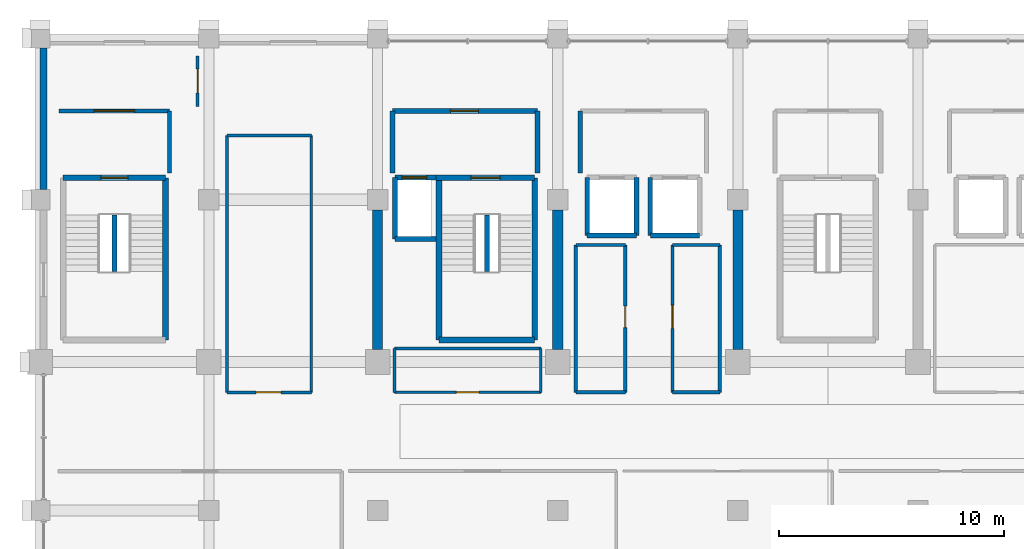
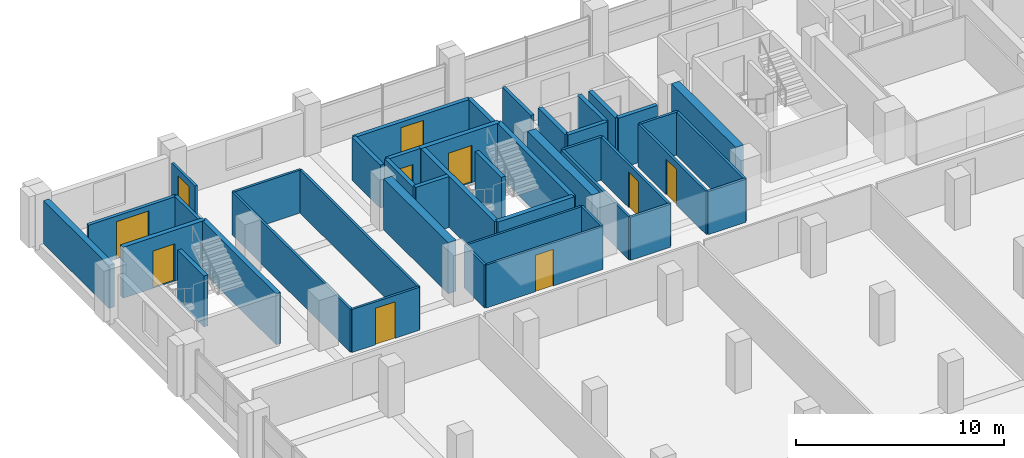
# One storey, part 17 of 21: 43 walls, 10 doors, 10 openings.
"""IFC4 building model written with IfcOpenShell, lengths in metres."""

from ifc_helpers import new_model, si_unit, direction, frame, frame_2d, origin, place, context, subcontext, project, spatial, rectangle, extrude, material, layer, layer_set, type_object, element, fill, save


model = new_model("IFC4")

# Units and contexts
model_context = context("Model", 3, precision=1e-05, world=origin(), true_north=direction((0.0, 1.0)))
body_context = subcontext(model_context, "Body", "Model", "MODEL_VIEW")
ifc_project = project(units=[si_unit("LENGTHUNIT", "METRE"), si_unit("AREAUNIT", "SQUARE_METRE"), si_unit("VOLUMEUNIT", "CUBIC_METRE"), si_unit("PLANEANGLEUNIT", "RADIAN"), si_unit("MASSUNIT", "GRAM", prefix="KILO")], contexts=[model_context])

# Site, building, storey
site_placement = place(None, origin())
site = spatial("IfcSite", under=ifc_project, at=site_placement, CompositionType="ELEMENT")
building_placement = place(site_placement, origin())
building = spatial("IfcBuilding", under=site, at=building_placement, Name="Akrevak Sports Hall", CompositionType="ELEMENT")
storey_placement = place(building_placement, frame((0.0, 0.0, 34.050048828125)))
storey = spatial("IfcBuildingStorey", under=building, at=storey_placement, Name="L07", CompositionType="ELEMENT", Elevation=34.050048828125)

# Wall
ifc_material_1 = material(Name="Limestone Ashlar", Category="stone")
ifc_layer_1 = layer(ifc_material_1, 0.070068359375, Name="Limestone Ashlar")
ifc_material_2 = material(Name="Mineral Wool Thermal Insulation", Category="insulation")
ifc_layer_2 = layer(ifc_material_2, 0.090087890625, Name="Mineral Wool Thermal Insulation")
ifc_material_3 = material(Name="Concrete C40/50", Category="concrete")
ifc_layer_3 = layer(ifc_material_3, 0.159912109375, Name="Concrete C40/50")
ifc_layer_set_1 = layer_set([ifc_layer_1, ifc_layer_2, ifc_layer_3], Name="Limestone Ashlar / Mineral Wool Thermal Insulation / Concrete C40/50")
wall_type_1 = type_object("IfcWallType", Name="ARC-WL-EXT-320", PredefinedType="SOLIDWALL", material=ifc_layer_set_1)
wall_1_placement = place(storey_placement, frame((45.159912109375, 69.14990234375, 0.0), z_axis=(0.0, 0.0, 1.0), x_axis=(0.0, -1.0, 0.0)))
element("IfcWall", 1, at=wall_1_placement, inside=storey, type_object=wall_type_1, Name="Tower Stone Facade Wall L07-W28", PredefinedType="SOLIDWALL", context=body_context, shape_type="SweptSolid", body=[
    extrude(rectangle(XDim=6.2998046875, YDim=0.320068359375, at=frame_2d((3.14990234375, 0.0))), origin(), (0.0, 0.0, 1.0), 2.530029296875),
])

# Wall, opening, door
ifc_material_4 = material(Name="Standard Metal Stud Partition", Category="gypsum")
ifc_layer_4 = layer(ifc_material_4, 0.1201171875, Name="Standard Metal Stud Partition")
ifc_layer_set_2 = layer_set([ifc_layer_4], Name="Standard Metal Stud Partition")
wall_type_2 = type_object("IfcWallType", Name="ARC-WL-PRT-120", PredefinedType="PARTITIONING", material=ifc_layer_set_2)
wall_2_placement = place(storey_placement, frame((60.75, 53.85009765625, 0.0), z_axis=(0.0, 0.0, 1.0), x_axis=(1.0, 0.0, 0.0)))
wall_2 = element("IfcWall", 2, at=wall_2_placement, inside=storey, type_object=wall_type_2, Name="Interior Partition Federation Technical Office L07-CW (S)", PredefinedType="PARTITIONING", context=body_context, shape_type="SweptSolid", body=[
    extrude(rectangle(XDim=6.5, YDim=0.1201171875, at=frame_2d((3.25, 0.0))), origin(), (0.0, 0.0, 1.0), 2.530029296875),
])
opening_1_placement = place(wall_2_placement, frame((2.75, 0.0, 0.0)))
opening_1 = element("IfcOpeningElement", 3, at=opening_1_placement, cuts=wall_2, Name="Opening ID-06", PredefinedType="OPENING", context=body_context, shape_type="SweptSolid", body=[
    extrude(rectangle(XDim=1.0, YDim=2.14990234375, at=frame_2d((0.5, 1.074951171875))), frame((0.0, 0.072021484375, 0.0), z_axis=(0.0, -1.0, 0.0), x_axis=(1.0, 0.0, 0.0)), (0.0, 0.0, 1.0), 0.14404296875),
])
ifc_material_5 = material(Name="Hardwood Oak Acoustic Leaf", Category="wood")
door_type_1 = type_object("IfcDoorType", Name="ARC-DR-OFF-100x215", OperationType="NOTDEFINED", PredefinedType="DOOR", material=ifc_material_5)
door_1_placement = place(opening_1_placement, origin())
door_1 = element("IfcDoor", 4, at=door_1_placement, inside=storey, type_object=door_type_1, Name="Door to Federation Technical Office L07-CW", OperationType="SINGLE_SWING_LEFT", OverallHeight=2.14990234375, OverallWidth=1.0, PredefinedType="DOOR", context=body_context, shape_type="SweptSolid", body=[
    extrude(rectangle(XDim=1.0, YDim=2.14990234375, at=frame_2d((0.5, 1.074951171875))), frame((0.0, 0.02490234375, 0.0), z_axis=(0.0, -1.0, 0.0), x_axis=(1.0, 0.0, 0.0)), (0.0, 0.0, 1.0), 0.050048828125),
])
fill(opening_1, door_1)

# Walls
wall_3_placement = place(storey_placement, frame((60.75, 55.800048828125, 0.0), z_axis=(0.0, 0.0, 1.0), x_axis=(1.0, 0.0, 0.0)))
element("IfcWall", 5, at=wall_3_placement, inside=storey, type_object=wall_type_2, Name="Interior Partition Federation Technical Office L07-CW (N)", PredefinedType="PARTITIONING", context=body_context, shape_type="SweptSolid", body=[
    extrude(rectangle(XDim=6.5, YDim=0.1201171875, at=frame_2d((3.25, 0.0))), origin(), (0.0, 0.0, 1.0), 2.530029296875),
])
for number, where, z_axis, x_axis, name in (
    (6, (60.75, 53.85009765625, 0.0), (0.0, 0.0, 1.0), (0.0, 1.0, 0.0), "Interior Partition Federation Technical Office L07-CW (W)"),
    (7, (67.25, 53.85009765625, 0.0), (0.0, 0.0, 1.0), (0.0, 1.0, 0.0), "Interior Partition Federation Technical Office L07-CW (E)"),
):
    element("IfcWall", number, at=place(storey_placement, frame(where, z_axis=z_axis, x_axis=x_axis)), inside=storey, type_object=wall_type_2, Name=name, PredefinedType="PARTITIONING", context=body_context, shape_type="SweptSolid", body=[
        extrude(rectangle(XDim=1.949951171875, YDim=0.1201171875, at=frame_2d((0.97509765625, 0.0))), origin(), (0.0, 0.0, 1.0), 2.530029296875),
    ])

# Wall, opening, door
ifc_material_6 = material(Name="Acoustic Metal Stud Partition", Category="gypsum")
ifc_layer_5 = layer(ifc_material_6, 0.1298828125, Name="Acoustic Metal Stud Partition")
ifc_layer_set_3 = layer_set([ifc_layer_5], Name="Acoustic Metal Stud Partition")
wall_type_3 = type_object("IfcWallType", Name="ARC-WL-PRT-130", PredefinedType="PARTITIONING", material=ifc_layer_set_3)
wall_4_placement = place(storey_placement, frame((53.300048828125, 53.85009765625, 0.0), z_axis=(0.0, 0.0, 1.0), x_axis=(1.0, 0.0, 0.0)))
wall_4 = element("IfcWall", 8, at=wall_4_placement, inside=storey, type_object=wall_type_3, Name="Interior Partition Federation Research Office L07-W1 (S)", PredefinedType="PARTITIONING", context=body_context, shape_type="SweptSolid", body=[
    extrude(rectangle(XDim=3.75, YDim=0.1298828125, at=frame_2d((1.875, 0.0))), origin(), (0.0, 0.0, 1.0), 2.530029296875),
])
opening_2_placement = place(wall_4_placement, frame((1.300048828125, 0.0, 0.0)))
opening_2 = element("IfcOpeningElement", 9, at=opening_2_placement, cuts=wall_4, Name="Opening ID-04", PredefinedType="OPENING", context=body_context, shape_type="SweptSolid", body=[
    extrude(rectangle(XDim=1.10009765625, YDim=2.14990234375, at=frame_2d((0.550048828125, 1.074951171875))), frame((0.0, 0.076904296875, 0.0), z_axis=(0.0, -1.0, 0.0), x_axis=(1.0, 0.0, 0.0)), (0.0, 0.0, 1.0), 0.15380859375),
])
door_type_2 = type_object("IfcDoorType", Name="ARC-DR-OFF-110x215", OperationType="NOTDEFINED", PredefinedType="DOOR", material=ifc_material_5)
door_2_placement = place(opening_2_placement, frame((1.10009765625, 0.0, 0.0), z_axis=(0.0, 0.0, 1.0), x_axis=(-1.0, 0.0, 0.0)))
door_2 = element("IfcDoor", 10, at=door_2_placement, inside=storey, type_object=door_type_2, Name="Door to Federation Research Office L07-W1", OperationType="SINGLE_SWING_RIGHT", OverallHeight=2.14990234375, OverallWidth=1.10009765625, PredefinedType="DOOR", context=body_context, shape_type="SweptSolid", body=[
    extrude(rectangle(XDim=1.10009765625, YDim=2.14990234375, at=frame_2d((0.550048828125, 1.074951171875))), frame((0.0, 0.02490234375, 0.0), z_axis=(0.0, -1.0, 0.0), x_axis=(1.0, 0.0, 0.0)), (0.0, 0.0, 1.0), 0.050048828125),
])
fill(opening_2, door_2)

# Walls
wall_5_placement = place(storey_placement, frame((53.300048828125, 65.25, 0.0), z_axis=(0.0, 0.0, 1.0), x_axis=(1.0, 0.0, 0.0)))
element("IfcWall", 11, at=wall_5_placement, inside=storey, type_object=wall_type_3, Name="Interior Partition Federation Research Office L07-W1 (N)", PredefinedType="PARTITIONING", context=body_context, shape_type="SweptSolid", body=[
    extrude(rectangle(XDim=3.75, YDim=0.1298828125, at=frame_2d((1.875, 0.0))), origin(), (0.0, 0.0, 1.0), 2.530029296875),
])
for number, where, z_axis, x_axis, name in (
    (12, (53.300048828125, 53.85009765625, 0.0), (0.0, 0.0, 1.0), (0.0, 1.0, 0.0), "Interior Partition Federation Research Office L07-W1 (W)"),
    (13, (57.050048828125, 53.85009765625, 0.0), (0.0, 0.0, 1.0), (0.0, 1.0, 0.0), "Interior Partition Federation Research Office L07-W1 (E)"),
):
    element("IfcWall", number, at=place(storey_placement, frame(where, z_axis=z_axis, x_axis=x_axis)), inside=storey, type_object=wall_type_3, Name=name, PredefinedType="PARTITIONING", context=body_context, shape_type="SweptSolid", body=[
        extrude(rectangle(XDim=11.39990234375, YDim=0.1298828125, at=frame_2d((5.699951171875, 0.0))), origin(), (0.0, 0.0, 1.0), 2.530029296875),
    ])

# Wall, opening, door
wall_6_placement = place(storey_placement, frame((52.0, 66.550048828125, 0.0), z_axis=(0.0, 0.0, 1.0), x_axis=(0.0, 1.0, 0.0)))
wall_6 = element("IfcWall", 14, at=wall_6_placement, inside=storey, type_object=wall_type_3, Name="Interior Partition Federation Records Office L07-NW (E)", PredefinedType="PARTITIONING", context=body_context, shape_type="SweptSolid", body=[
    extrude(rectangle(XDim=2.25, YDim=0.1298828125, at=frame_2d((1.125, 0.0))), origin(), (0.0, 0.0, 1.0), 2.530029296875),
])
opening_3_placement = place(wall_6_placement, frame((0.60498046875, 0.0, 0.0)))
opening_3 = element("IfcOpeningElement", 15, at=opening_3_placement, cuts=wall_6, Name="Opening ID-05", PredefinedType="OPENING", context=body_context, shape_type="SweptSolid", body=[
    extrude(rectangle(XDim=1.050048828125, YDim=2.14990234375, at=frame_2d((0.52490234375, 1.074951171875))), frame((0.0, 0.076904296875, 0.0), z_axis=(0.0, -1.0, 0.0), x_axis=(1.0, 0.0, 0.0)), (0.0, 0.0, 1.0), 0.15380859375),
])
door_type_3 = type_object("IfcDoorType", Name="ARC-DR-OFF-105x215", OperationType="NOTDEFINED", PredefinedType="DOOR", material=ifc_material_5)
door_3_placement = place(opening_3_placement, frame((1.050048828125, 0.0, 0.0), z_axis=(0.0, 0.0, 1.0), x_axis=(-1.0, 0.0, 0.0)))
door_3 = element("IfcDoor", 16, at=door_3_placement, inside=storey, type_object=door_type_3, Name="Door to Federation Records Office L07-NW", OperationType="SINGLE_SWING_RIGHT", OverallHeight=2.14990234375, OverallWidth=1.050048828125, PredefinedType="DOOR", context=body_context, shape_type="SweptSolid", body=[
    extrude(rectangle(XDim=1.050048828125, YDim=2.14990234375, at=frame_2d((0.52490234375, 1.074951171875))), frame((0.0, 0.02490234375, 0.0), z_axis=(0.0, -1.0, 0.0), x_axis=(1.0, 0.0, 0.0)), (0.0, 0.0, 1.0), 0.050048828125),
])
fill(opening_3, door_3)

# Walls
ifc_material_7 = material(Name="Moisture-Resistant Wet-Area Partition", Category="gypsum")
ifc_layer_6 = layer(ifc_material_7, 0.139892578125, Name="Moisture-Resistant Wet-Area Partition")
ifc_layer_set_4 = layer_set([ifc_layer_6], Name="Moisture-Resistant Wet-Area Partition")
wall_type_4 = type_object("IfcWallType", Name="ARC-WL-PRT-140", PredefinedType="PARTITIONING", material=ifc_layer_set_4)
for number, where, z_axis, x_axis, name in (
    (17, (68.800048828125, 53.85009765625, 0.0), (0.0, 0.0, 1.0), (1.0, 0.0, 0.0), "Interior Partition Staff WC L07 (S)"),
    (18, (68.800048828125, 60.39990234375, 0.0), (0.0, 0.0, 1.0), (1.0, 0.0, 0.0), "Interior Partition Staff WC L07 (N)"),
):
    element("IfcWall", number, at=place(storey_placement, frame(where, z_axis=z_axis, x_axis=x_axis)), inside=storey, type_object=wall_type_4, Name=name, PredefinedType="PARTITIONING", context=body_context, shape_type="SweptSolid", body=[
        extrude(rectangle(XDim=2.199951171875, YDim=0.139892578125, at=frame_2d((1.10009765625, 0.0))), origin(), (0.0, 0.0, 1.0), 2.530029296875),
    ])
wall_7_placement = place(storey_placement, frame((68.800048828125, 53.85009765625, 0.0), z_axis=(0.0, 0.0, 1.0), x_axis=(0.0, 1.0, 0.0)))
element("IfcWall", 19, at=wall_7_placement, inside=storey, type_object=wall_type_4, Name="Interior Partition Staff WC L07 (W)", PredefinedType="PARTITIONING", context=body_context, shape_type="SweptSolid", body=[
    extrude(rectangle(XDim=6.5498046875, YDim=0.139892578125, at=frame_2d((3.27490234375, 0.0))), origin(), (0.0, 0.0, 1.0), 2.530029296875),
])

# Wall, opening, door
wall_8_placement = place(storey_placement, frame((71.0, 53.85009765625, 0.0), z_axis=(0.0, 0.0, 1.0), x_axis=(0.0, 1.0, 0.0)))
wall_8 = element("IfcWall", 20, at=wall_8_placement, inside=storey, type_object=wall_type_4, Name="Interior Partition Staff WC L07 (E)", PredefinedType="PARTITIONING", context=body_context, shape_type="SweptSolid", body=[
    extrude(rectangle(XDim=6.5498046875, YDim=0.139892578125, at=frame_2d((3.27490234375, 0.0))), origin(), (0.0, 0.0, 1.0), 2.530029296875),
])
opening_4_placement = place(wall_8_placement, frame((2.875, 0.0, 0.0)))
opening_4 = element("IfcOpeningElement", 21, at=opening_4_placement, cuts=wall_8, Name="Opening ID-08", PredefinedType="OPENING", context=body_context, shape_type="SweptSolid", body=[
    extrude(rectangle(XDim=0.949951171875, YDim=2.10009765625, at=frame_2d((0.47509765625, 1.050048828125))), frame((0.0, 0.08203125, 0.0), z_axis=(0.0, -1.0, 0.0), x_axis=(1.0, 0.0, 0.0)), (0.0, 0.0, 1.0), 0.163818359375),
])
ifc_material_8 = material(Name="High-Pressure Laminate & Aluminium", Category="aluminium")
door_type_4 = type_object("IfcDoorType", Name="ARC-DR-WC-095x210", OperationType="NOTDEFINED", PredefinedType="DOOR", material=ifc_material_8)
door_4_placement = place(opening_4_placement, frame((0.949951171875, 0.0, 0.0), z_axis=(0.0, 0.0, 1.0), x_axis=(-1.0, 0.0, 0.0)))
door_4 = element("IfcDoor", 22, at=door_4_placement, inside=storey, type_object=door_type_4, Name="Door to Staff WC L07", OperationType="SINGLE_SWING_RIGHT", OverallHeight=2.10009765625, OverallWidth=0.949951171875, PredefinedType="DOOR", context=body_context, shape_type="SweptSolid", body=[
    extrude(rectangle(XDim=0.949951171875, YDim=2.10009765625, at=frame_2d((0.47509765625, 1.050048828125))), frame((0.0, 0.02490234375, 0.0), z_axis=(0.0, -1.0, 0.0), x_axis=(1.0, 0.0, 0.0)), (0.0, 0.0, 1.0), 0.050048828125),
])
fill(opening_4, door_4)

# Walls
for number, where, z_axis, x_axis, name in (
    (23, (73.10009765625, 53.85009765625, 0.0), (0.0, 0.0, 1.0), (1.0, 0.0, 0.0), "Interior Partition Accessible WC & Shower L07 (S)"),
    (24, (73.10009765625, 60.39990234375, 0.0), (0.0, 0.0, 1.0), (1.0, 0.0, 0.0), "Interior Partition Accessible WC & Shower L07 (N)"),
):
    element("IfcWall", number, at=place(storey_placement, frame(where, z_axis=z_axis, x_axis=x_axis)), inside=storey, type_object=wall_type_4, Name=name, PredefinedType="PARTITIONING", context=body_context, shape_type="SweptSolid", body=[
        extrude(rectangle(XDim=2.099853515625, YDim=0.139892578125, at=frame_2d((1.0498046875, 0.0))), origin(), (0.0, 0.0, 1.0), 2.530029296875),
    ])

# Wall, opening, door
wall_9_placement = place(storey_placement, frame((73.10009765625, 53.85009765625, 0.0), z_axis=(0.0, 0.0, 1.0), x_axis=(0.0, 1.0, 0.0)))
wall_9 = element("IfcWall", 25, at=wall_9_placement, inside=storey, type_object=wall_type_4, Name="Interior Partition Accessible WC & Shower L07 (W)", PredefinedType="PARTITIONING", context=body_context, shape_type="SweptSolid", body=[
    extrude(rectangle(XDim=6.5498046875, YDim=0.139892578125, at=frame_2d((3.27490234375, 0.0))), origin(), (0.0, 0.0, 1.0), 2.530029296875),
])
opening_5_placement = place(wall_9_placement, frame((2.840087890625, 0.0, 0.0)))
opening_5 = element("IfcOpeningElement", 26, at=opening_5_placement, cuts=wall_9, Name="Opening ID-09", PredefinedType="OPENING", context=body_context, shape_type="SweptSolid", body=[
    extrude(rectangle(XDim=1.02001953125, YDim=2.10009765625, at=frame_2d((0.510009765625, 1.050048828125))), frame((0.0, 0.08203125, 0.0), z_axis=(0.0, -1.0, 0.0), x_axis=(1.0, 0.0, 0.0)), (0.0, 0.0, 1.0), 0.163818359375),
])
door_type_5 = type_object("IfcDoorType", Name="ARC-DR-AWC-102x210", OperationType="NOTDEFINED", PredefinedType="DOOR", material=ifc_material_8)
door_5_placement = place(opening_5_placement, origin())
door_5 = element("IfcDoor", 27, at=door_5_placement, inside=storey, type_object=door_type_5, Name="Door to Accessible WC & Shower L07", OperationType="SINGLE_SWING_LEFT", OverallHeight=2.10009765625, OverallWidth=1.02001953125, PredefinedType="DOOR", context=body_context, shape_type="SweptSolid", body=[
    extrude(rectangle(XDim=1.02001953125, YDim=2.10009765625, at=frame_2d((0.510009765625, 1.050048828125))), frame((0.0, 0.02490234375, 0.0), z_axis=(0.0, -1.0, 0.0), x_axis=(1.0, 0.0, 0.0)), (0.0, 0.0, 1.0), 0.050048828125),
])
fill(opening_5, door_5)

# Walls
wall_10_placement = place(storey_placement, frame((75.199951171875, 53.85009765625, 0.0), z_axis=(0.0, 0.0, 1.0), x_axis=(0.0, 1.0, 0.0)))
element("IfcWall", 28, at=wall_10_placement, inside=storey, type_object=wall_type_4, Name="Interior Partition Accessible WC & Shower L07 (E)", PredefinedType="PARTITIONING", context=body_context, shape_type="SweptSolid", body=[
    extrude(rectangle(XDim=6.5498046875, YDim=0.139892578125, at=frame_2d((3.27490234375, 0.0))), origin(), (0.0, 0.0, 1.0), 2.530029296875),
])
ifc_material_9 = material(Name="Autoclaved Aerated Masonry Block", Category="masonry")
ifc_layer_7 = layer(ifc_material_9, 0.179931640625, Name="Autoclaved Aerated Masonry Block")
ifc_layer_set_5 = layer_set([ifc_layer_7], Name="Autoclaved Aerated Masonry Block")
wall_type_5 = type_object("IfcWallType", Name="ARC-WL-PRT-180", PredefinedType="PARTITIONING", material=ifc_layer_set_5)
wall_11_placement = place(storey_placement, frame((69.0, 63.60009765625, 0.0), z_axis=(0.0, 0.0, 1.0), x_axis=(0.0, 1.0, 0.0)))
element("IfcWall", 29, at=wall_11_placement, inside=storey, type_object=wall_type_5, Name="Interior Partition West Passenger Lift Lobby L07 (W)", PredefinedType="PARTITIONING", context=body_context, shape_type="SweptSolid", body=[
    extrude(rectangle(XDim=2.75, YDim=0.179931640625, at=frame_2d((1.375, 0.0))), origin(), (0.0, 0.0, 1.0), 2.530029296875),
])

# Wall, opening, door
wall_12_placement = place(storey_placement, frame((45.85009765625, 66.35009765625, 0.0), z_axis=(0.0, 0.0, 1.0), x_axis=(1.0, 0.0, 0.0)))
wall_12 = element("IfcWall", 30, at=wall_12_placement, inside=storey, type_object=wall_type_5, Name="Interior Partition West Wing Stair ST4 Vestibule L07 (N)", PredefinedType="PARTITIONING", context=body_context, shape_type="SweptSolid", body=[
    extrude(rectangle(XDim=4.89990234375, YDim=0.179931640625, at=frame_2d((2.449951171875, 0.0))), origin(), (0.0, 0.0, 1.0), 2.530029296875),
])
opening_6_placement = place(wall_12_placement, frame((1.550048828125, 0.0, 0.0)))
opening_6 = element("IfcOpeningElement", 31, at=opening_6_placement, cuts=wall_12, Name="Opening FD-02", PredefinedType="OPENING", context=body_context, shape_type="SweptSolid", body=[
    extrude(rectangle(XDim=1.800048828125, YDim=2.199951171875, at=frame_2d((0.89990234375, 1.10009765625))), frame((0.0, 0.10205078125, 0.0), z_axis=(0.0, -1.0, 0.0), x_axis=(1.0, 0.0, 0.0)), (0.0, 0.0, 1.0), 0.203857421875),
])
ifc_material_10 = material(Name="Fire-Rated Galvanized Door Steel", Category="steel")
door_type_6 = type_object("IfcDoorType", Name="ARC-DR-FIRE-180x220", OperationType="DOUBLE_DOOR_SINGLE_SWING", PredefinedType="DOOR", material=ifc_material_10)
door_6_placement = place(opening_6_placement, frame((1.800048828125, 0.0, 0.0), z_axis=(0.0, 0.0, 1.0), x_axis=(-1.0, 0.0, 0.0)))
door_6 = element("IfcDoor", 32, at=door_6_placement, inside=storey, type_object=door_type_6, Name="Door to West Wing Stair ST4 Vestibule L07", OperationType="DOUBLE_DOOR_SINGLE_SWING", OverallHeight=2.199951171875, OverallWidth=1.800048828125, PredefinedType="DOOR", context=body_context, shape_type="SweptSolid", body=[
    extrude(rectangle(XDim=1.800048828125, YDim=2.199951171875, at=frame_2d((0.89990234375, 1.10009765625))), frame((0.0, 0.02490234375, 0.0), z_axis=(0.0, -1.0, 0.0), x_axis=(1.0, 0.0, 0.0)), (0.0, 0.0, 1.0), 0.050048828125),
])
fill(opening_6, door_6)

# Walls
wall_13_placement = place(storey_placement, frame((50.75, 63.60009765625, 0.0), z_axis=(0.0, 0.0, 1.0), x_axis=(0.0, 1.0, 0.0)))
element("IfcWall", 33, at=wall_13_placement, inside=storey, type_object=wall_type_5, Name="Interior Partition West Wing Stair ST4 Vestibule L07 (E)", PredefinedType="PARTITIONING", context=body_context, shape_type="SweptSolid", body=[
    extrude(rectangle(XDim=2.75, YDim=0.179931640625, at=frame_2d((1.375, 0.0))), origin(), (0.0, 0.0, 1.0), 2.530029296875),
])
ifc_layer_8 = layer(ifc_material_3, 0.219970703125, Name="Concrete C40/50")
ifc_layer_set_6 = layer_set([ifc_layer_8], Name="Concrete C40/50")
wall_type_6 = type_object("IfcWallType", Name="ARC-WL-PRT-220", PredefinedType="PARTITIONING", material=ifc_layer_set_6)
for number, where, z_axis, x_axis, name in (
    (34, (64.85009765625, 59.215087890625, 0.0), (0.0, 0.0, 1.0), (0.0, 1.0, 0.0), "Stair ST1 Central Spine Wall (L07)"),
    (35, (48.300048828125, 59.215087890625, 0.0), (0.0, 0.0, 1.0), (0.0, 1.0, 0.0), "Stair ST4 Central Spine Wall (L07)"),
):
    element("IfcWall", number, at=place(storey_placement, frame(where, z_axis=z_axis, x_axis=x_axis)), inside=storey, type_object=wall_type_6, Name=name, PredefinedType="PARTITIONING", context=body_context, shape_type="SweptSolid", body=[
        extrude(rectangle(XDim=2.52001953125, YDim=0.219970703125, at=frame_2d((1.260009765625, 0.0))), origin(), (0.0, 0.0, 1.0), 3.0),
    ])

# Wall, opening, door
wall_14_placement = place(storey_placement, frame((60.64990234375, 66.35009765625, 0.0), z_axis=(0.0, 0.0, 1.0), x_axis=(1.0, 0.0, 0.0)))
wall_14 = element("IfcWall", 36, at=wall_14_placement, inside=storey, type_object=wall_type_6, Name="Interior Partition Firefighting Lobby West L07 (N)", PredefinedType="PARTITIONING", context=body_context, shape_type="SweptSolid", body=[
    extrude(rectangle(XDim=6.4501953125, YDim=0.219970703125, at=frame_2d((3.22509765625, 0.0))), origin(), (0.0, 0.0, 1.0), 2.530029296875),
])
opening_7_placement = place(wall_14_placement, frame((2.574951171875, 0.0, 0.0)))
opening_7 = element("IfcOpeningElement", 37, at=opening_7_placement, cuts=wall_14, Name="Opening FD-01", PredefinedType="OPENING", context=body_context, shape_type="SweptSolid", body=[
    extrude(rectangle(XDim=1.25, YDim=2.199951171875, at=frame_2d((0.625, 1.10009765625))), frame((0.0, 0.1220703125, 0.0), z_axis=(0.0, -1.0, 0.0), x_axis=(1.0, 0.0, 0.0)), (0.0, 0.0, 1.0), 0.243896484375),
])
door_type_7 = type_object("IfcDoorType", Name="ARC-DR-FFL-125x220", OperationType="NOTDEFINED", PredefinedType="DOOR", material=ifc_material_10)
door_7_placement = place(opening_7_placement, frame((1.25, 0.0, 0.0), z_axis=(0.0, 0.0, 1.0), x_axis=(-1.0, 0.0, 0.0)))
door_7 = element("IfcDoor", 38, at=door_7_placement, inside=storey, type_object=door_type_7, Name="Door to Firefighting Lobby West L07", OperationType="SINGLE_SWING_RIGHT", OverallHeight=2.199951171875, OverallWidth=1.25, PredefinedType="DOOR", context=body_context, shape_type="SweptSolid", body=[
    extrude(rectangle(XDim=1.25, YDim=2.199951171875, at=frame_2d((0.625, 1.10009765625))), frame((0.0, 0.02490234375, 0.0), z_axis=(0.0, -1.0, 0.0), x_axis=(1.0, 0.0, 0.0)), (0.0, 0.0, 1.0), 0.050048828125),
])
fill(opening_7, door_7)

# Walls
for number, where, z_axis, x_axis, name in (
    (39, (60.64990234375, 63.60009765625, 0.0), (0.0, 0.0, 1.0), (0.0, 1.0, 0.0), "Interior Partition Firefighting Lobby West L07 (W)"),
    (40, (67.10009765625, 63.60009765625, 0.0), (0.0, 0.0, 1.0), (0.0, 1.0, 0.0), "Interior Partition Firefighting Lobby West L07 (E)"),
):
    element("IfcWall", number, at=place(storey_placement, frame(where, z_axis=z_axis, x_axis=x_axis)), inside=storey, type_object=wall_type_6, Name=name, PredefinedType="PARTITIONING", context=body_context, shape_type="SweptSolid", body=[
        extrude(rectangle(XDim=2.75, YDim=0.219970703125, at=frame_2d((1.375, 0.0))), origin(), (0.0, 0.0, 1.0), 2.530029296875),
    ])
ifc_material_11 = material(Name="Concrete C50/60", Category="concrete")
ifc_layer_9 = layer(ifc_material_11, 0.219970703125, Name="Concrete C50/60")
ifc_layer_set_7 = layer_set([ifc_layer_9], Name="Concrete C50/60")
wall_type_7 = type_object("IfcWallType", Name="ARC-WL-SHAFT-220", PredefinedType="SHEAR", material=ifc_layer_set_7)
wall_15_placement = place(storey_placement, frame((60.760009765625, 60.659912109375, 0.0), z_axis=(0.0, 0.0, 1.0), x_axis=(1.0, 0.0, 0.0)))
element("IfcWall", 41, at=wall_15_placement, inside=storey, type_object=wall_type_7, Name="Lift Shaft LF-FF1 Wall S (L07)", PredefinedType="SHEAR", context=body_context, shape_type="SweptSolid", body=[
    extrude(rectangle(XDim=1.840087890625, YDim=0.219970703125, at=frame_2d((0.919921875, 0.0))), origin(), (0.0, 0.0, 1.0), 3.0),
])

# Wall, opening, door
wall_16_placement = place(storey_placement, frame((62.60009765625, 63.389892578125, 0.0), z_axis=(0.0, 0.0, 1.0), x_axis=(-1.0, 0.0, 0.0)))
wall_16 = element("IfcWall", 42, at=wall_16_placement, inside=storey, type_object=wall_type_7, Name="Lift Shaft LF-FF1 Wall N (L07)", PredefinedType="SHEAR", context=body_context, shape_type="SweptSolid", body=[
    extrude(rectangle(XDim=1.840087890625, YDim=0.219970703125, at=frame_2d((0.919921875, 0.0))), origin(), (0.0, 0.0, 1.0), 3.0),
])
opening_8_placement = place(wall_16_placement, frame((0.425048828125, 0.0, 0.0)))
opening_8 = element("IfcOpeningElement", 43, at=opening_8_placement, cuts=wall_16, Name="Opening LD-01", PredefinedType="OPENING", context=body_context, shape_type="SweptSolid", body=[
    extrude(rectangle(XDim=1.10009765625, YDim=2.199951171875, at=frame_2d((0.550048828125, 1.10009765625))), frame((0.0, 0.1220703125, 0.0), z_axis=(0.0, -1.0, 0.0), x_axis=(1.0, 0.0, 0.0)), (0.0, 0.0, 1.0), 0.243896484375),
])
ifc_material_12 = material(Name="Brushed Stainless Steel 304", Category="steel")
door_type_8 = type_object("IfcDoorType", Name="ARC-DR-LD-110x220", OperationType="SLIDING_TO_LEFT", PredefinedType="DOOR", material=ifc_material_12)
door_8_placement = place(opening_8_placement, origin())
door_8 = element("IfcDoor", 44, at=door_8_placement, inside=storey, type_object=door_type_8, Name="Lift LF-FF1 Sliding Landing Door (L07)", OperationType="SLIDING_TO_RIGHT", OverallHeight=2.199951171875, OverallWidth=1.10009765625, PredefinedType="DOOR", context=body_context, shape_type="SweptSolid", body=[
    extrude(rectangle(XDim=1.10009765625, YDim=2.199951171875, at=frame_2d((0.550048828125, 1.10009765625))), frame((0.0, 0.02490234375, 0.0), z_axis=(0.0, -1.0, 0.0), x_axis=(1.0, 0.0, 0.0)), (0.0, 0.0, 1.0), 0.050048828125),
])
fill(opening_8, door_8)

# Walls
wall_17_placement = place(storey_placement, frame((60.760009765625, 63.389892578125, 0.0), z_axis=(0.0, 0.0, 1.0), x_axis=(0.0, -1.0, 0.0)))
element("IfcWall", 45, at=wall_17_placement, inside=storey, type_object=wall_type_7, Name="Lift Shaft LF-FF1 Wall W (L07)", PredefinedType="SHEAR", context=body_context, shape_type="SweptSolid", body=[
    extrude(rectangle(XDim=2.72998046875, YDim=0.219970703125, at=frame_2d((1.364990234375, 0.0))), origin(), (0.0, 0.0, 1.0), 3.0),
])
wall_18_placement = place(storey_placement, frame((69.31005859375, 60.81005859375, 0.0), z_axis=(0.0, 0.0, 1.0), x_axis=(1.0, 0.0, 0.0)))
element("IfcWall", 46, at=wall_18_placement, inside=storey, type_object=wall_type_7, Name="Lift Shaft LF-P1 Wall S (L07)", PredefinedType="SHEAR", context=body_context, shape_type="SweptSolid", body=[
    extrude(rectangle(XDim=2.179931640625, YDim=0.219970703125, at=frame_2d((1.08984375, 0.0))), origin(), (0.0, 0.0, 1.0), 3.0),
])
for number, where, z_axis, x_axis, name in (
    (47, (69.31005859375, 63.389892578125, 0.0), (0.0, 0.0, 1.0), (0.0, -1.0, 0.0), "Lift Shaft LF-P1 Wall W (L07)"),
    (48, (71.489990234375, 60.81005859375, 0.0), (0.0, 0.0, 1.0), (0.0, 1.0, 0.0), "Lift Shaft LF-P1 Wall E (L07)"),
):
    element("IfcWall", number, at=place(storey_placement, frame(where, z_axis=z_axis, x_axis=x_axis)), inside=storey, type_object=wall_type_7, Name=name, PredefinedType="SHEAR", context=body_context, shape_type="SweptSolid", body=[
        extrude(rectangle(XDim=2.579833984375, YDim=0.219970703125, at=frame_2d((1.2900390625, 0.0))), origin(), (0.0, 0.0, 1.0), 3.0),
    ])
wall_19_placement = place(storey_placement, frame((72.110107421875, 60.81005859375, 0.0), z_axis=(0.0, 0.0, 1.0), x_axis=(1.0, 0.0, 0.0)))
element("IfcWall", 49, at=wall_19_placement, inside=storey, type_object=wall_type_7, Name="Lift Shaft LF-P2 Wall S (L07)", PredefinedType="SHEAR", context=body_context, shape_type="SweptSolid", body=[
    extrude(rectangle(XDim=2.179931640625, YDim=0.219970703125, at=frame_2d((1.08984375, 0.0))), origin(), (0.0, 0.0, 1.0), 3.0),
])
wall_20_placement = place(storey_placement, frame((72.110107421875, 63.389892578125, 0.0), z_axis=(0.0, 0.0, 1.0), x_axis=(0.0, -1.0, 0.0)))
element("IfcWall", 50, at=wall_20_placement, inside=storey, type_object=wall_type_7, Name="Lift Shaft LF-P2 Wall W (L07)", PredefinedType="SHEAR", context=body_context, shape_type="SweptSolid", body=[
    extrude(rectangle(XDim=2.579833984375, YDim=0.219970703125, at=frame_2d((1.2900390625, 0.0))), origin(), (0.0, 0.0, 1.0), 3.0),
])
ifc_layer_10 = layer(ifc_material_11, 0.449951171875, Name="Concrete C50/60")
ifc_layer_set_8 = layer_set([ifc_layer_10], Name="Concrete C50/60")
wall_type_8 = type_object("IfcWallType", Name="STR-WL-CORE-450", PredefinedType="SHEAR", material=ifc_layer_set_8)
for number, where, z_axis, x_axis, name in (
    (51, (60.0, 55.75, 0.0), (0.0, 0.0, 1.0), (0.0, 1.0, 0.0), "Reinforced Concrete Shear Wall SW-W2 (L07)"),
    (52, (68.0, 55.75, 0.0), (0.0, 0.0, 1.0), (0.0, 1.0, 0.0), "Reinforced Concrete Shear Wall SW-C1 (L07)"),
    (53, (76.0, 55.75, 0.0), (0.0, 0.0, 1.0), (0.0, 1.0, 0.0), "Reinforced Concrete Shear Wall SW-W1 (L07)"),
):
    element("IfcWall", number, at=place(storey_placement, frame(where, z_axis=z_axis, x_axis=x_axis)), inside=storey, type_object=wall_type_8, Name=name, PredefinedType="SHEAR", context=body_context, shape_type="SweptSolid", body=[
        extrude(rectangle(XDim=6.199951171875, YDim=0.449951171875, at=frame_2d((3.10009765625, 0.0))), origin(), (0.0, 0.0, 1.0), 3.0),
    ])
ifc_layer_11 = layer(ifc_material_11, 0.25, Name="Concrete C50/60")
ifc_layer_set_9 = layer_set([ifc_layer_11], Name="Concrete C50/60")
wall_type_9 = type_object("IfcWallType", Name="STR-WL-STAIR-250", PredefinedType="SHEAR", material=ifc_layer_set_9)
wall_21_placement = place(storey_placement, frame((62.72509765625, 56.175048828125, 0.0), z_axis=(0.0, 0.0, 1.0), x_axis=(1.0, 0.0, 0.0)))
element("IfcWall", 54, at=wall_21_placement, inside=storey, type_object=wall_type_9, Name="Stair Core ST1 Shear Wall S (L07)", PredefinedType="SHEAR", context=body_context, shape_type="SweptSolid", body=[
    extrude(rectangle(XDim=4.25, YDim=0.25, at=frame_2d((2.125, 0.0))), origin(), (0.0, 0.0, 1.0), 3.0),
])

# Wall, opening, door
wall_22_placement = place(storey_placement, frame((66.97509765625, 63.375, 0.0), z_axis=(0.0, 0.0, 1.0), x_axis=(-1.0, 0.0, 0.0)))
wall_22 = element("IfcWall", 55, at=wall_22_placement, inside=storey, type_object=wall_type_9, Name="Stair Core ST1 Shear Wall N (L07)", PredefinedType="SHEAR", context=body_context, shape_type="SweptSolid", body=[
    extrude(rectangle(XDim=4.375, YDim=0.25, at=frame_2d((2.1875, 0.0))), origin(), (0.0, 0.0, 1.0), 3.0),
])
opening_9_placement = place(wall_22_placement, frame((1.53759765625, 0.0, 0.0)))
opening_9 = element("IfcOpeningElement", 56, at=opening_9_placement, cuts=wall_22, Name="Opening SD-01", PredefinedType="OPENING", context=body_context, shape_type="SweptSolid", body=[
    extrude(rectangle(XDim=1.300048828125, YDim=2.199951171875, at=frame_2d((0.64990234375, 1.10009765625))), frame((0.0, 0.136962890625, 0.0), z_axis=(0.0, -1.0, 0.0), x_axis=(1.0, 0.0, 0.0)), (0.0, 0.0, 1.0), 0.27392578125),
])
door_type_9 = type_object("IfcDoorType", Name="ARC-DR-STAIR-130x220", OperationType="NOTDEFINED", PredefinedType="DOOR", material=ifc_material_10)
door_9_placement = place(opening_9_placement, origin())
door_9 = element("IfcDoor", 57, at=door_9_placement, inside=storey, type_object=door_type_9, Name="Exit Stair ST1 Door (L07)", OperationType="SINGLE_SWING_LEFT", OverallHeight=2.199951171875, OverallWidth=1.300048828125, PredefinedType="DOOR", context=body_context, shape_type="SweptSolid", body=[
    extrude(rectangle(XDim=1.300048828125, YDim=2.199951171875, at=frame_2d((0.64990234375, 1.10009765625))), frame((0.0, 0.02490234375, 0.0), z_axis=(0.0, -1.0, 0.0), x_axis=(1.0, 0.0, 0.0)), (0.0, 0.0, 1.0), 0.050048828125),
])
fill(opening_9, door_9)

# Walls
wall_23_placement = place(storey_placement, frame((62.72509765625, 63.25, 0.0), z_axis=(0.0, 0.0, 1.0), x_axis=(0.0, -1.0, 0.0)))
element("IfcWall", 58, at=wall_23_placement, inside=storey, type_object=wall_type_9, Name="Stair Core ST1 Shear Wall W (L07)", PredefinedType="SHEAR", context=body_context, shape_type="SweptSolid", body=[
    extrude(rectangle(XDim=7.074951171875, YDim=0.25, at=frame_2d((3.53759765625, 0.0))), origin(), (0.0, 0.0, 1.0), 3.0),
])
wall_24_placement = place(storey_placement, frame((66.97509765625, 56.175048828125, 0.0), z_axis=(0.0, 0.0, 1.0), x_axis=(0.0, 1.0, 0.0)))
element("IfcWall", 59, at=wall_24_placement, inside=storey, type_object=wall_type_9, Name="Stair Core ST1 Shear Wall E (L07)", PredefinedType="SHEAR", context=body_context, shape_type="SweptSolid", body=[
    extrude(rectangle(XDim=7.199951171875, YDim=0.25, at=frame_2d((3.60009765625, 0.0))), origin(), (0.0, 0.0, 1.0), 3.0),
])

# Wall, opening, door
wall_25_placement = place(storey_placement, frame((50.574951171875, 63.375, 0.0), z_axis=(0.0, 0.0, 1.0), x_axis=(-1.0, 0.0, 0.0)))
wall_25 = element("IfcWall", 60, at=wall_25_placement, inside=storey, type_object=wall_type_9, Name="Stair Core ST4 Shear Wall N (L07)", PredefinedType="SHEAR", context=body_context, shape_type="SweptSolid", body=[
    extrude(rectangle(XDim=4.550048828125, YDim=0.25, at=frame_2d((2.27490234375, 0.0))), origin(), (0.0, 0.0, 1.0), 3.0),
])
opening_10_placement = place(wall_25_placement, frame((1.675048828125, 0.0, 0.0)))
opening_10 = element("IfcOpeningElement", 61, at=opening_10_placement, cuts=wall_25, Name="Opening SD-02", PredefinedType="OPENING", context=body_context, shape_type="SweptSolid", body=[
    extrude(rectangle(XDim=1.199951171875, YDim=2.199951171875, at=frame_2d((0.60009765625, 1.10009765625))), frame((0.0, 0.136962890625, 0.0), z_axis=(0.0, -1.0, 0.0), x_axis=(1.0, 0.0, 0.0)), (0.0, 0.0, 1.0), 0.27392578125),
])
door_type_10 = type_object("IfcDoorType", Name="ARC-DR-STAIR-120x220", OperationType="NOTDEFINED", PredefinedType="DOOR", material=ifc_material_10)
door_10_placement = place(opening_10_placement, origin())
door_10 = element("IfcDoor", 62, at=door_10_placement, inside=storey, type_object=door_type_10, Name="Exit Stair ST4 Door (L07)", OperationType="SINGLE_SWING_RIGHT", OverallHeight=2.199951171875, OverallWidth=1.199951171875, PredefinedType="DOOR", context=body_context, shape_type="SweptSolid", body=[
    extrude(rectangle(XDim=1.199951171875, YDim=2.199951171875, at=frame_2d((0.60009765625, 1.10009765625))), frame((0.0, 0.02490234375, 0.0), z_axis=(0.0, -1.0, 0.0), x_axis=(1.0, 0.0, 0.0)), (0.0, 0.0, 1.0), 0.050048828125),
])
fill(opening_10, door_10)

# Wall
wall_26_placement = place(storey_placement, frame((50.574951171875, 56.175048828125, 0.0), z_axis=(0.0, 0.0, 1.0), x_axis=(0.0, 1.0, 0.0)))
element("IfcWall", 63, at=wall_26_placement, inside=storey, type_object=wall_type_9, Name="Stair Core ST4 Shear Wall E (L07)", PredefinedType="SHEAR", context=body_context, shape_type="SweptSolid", body=[
    extrude(rectangle(XDim=7.199951171875, YDim=0.25, at=frame_2d((3.60009765625, 0.0))), origin(), (0.0, 0.0, 1.0), 3.0),
])

save(model, "model.ifc")
